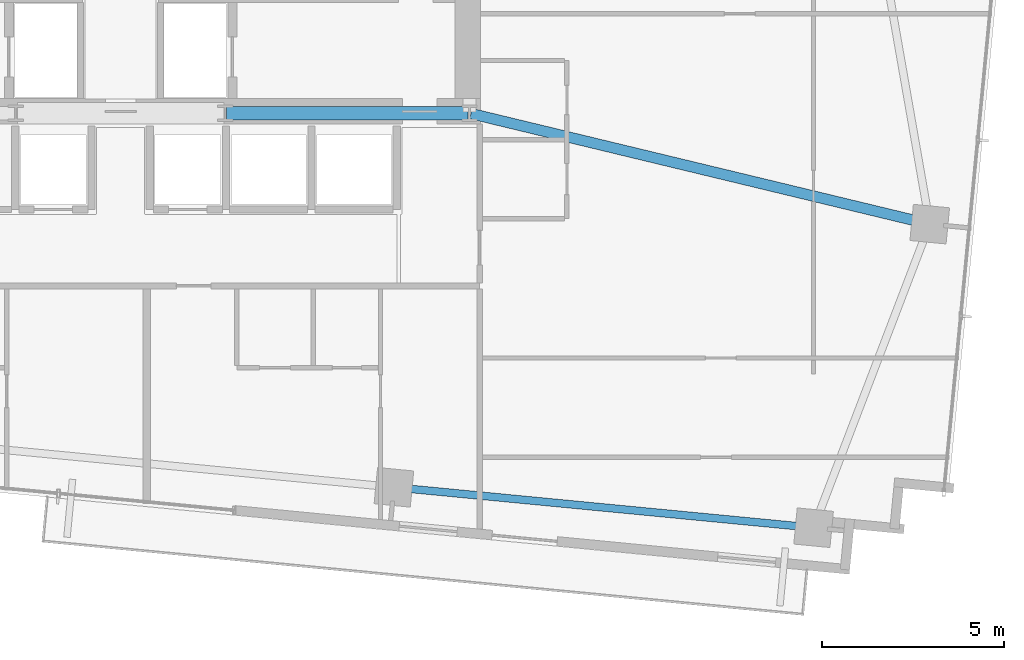
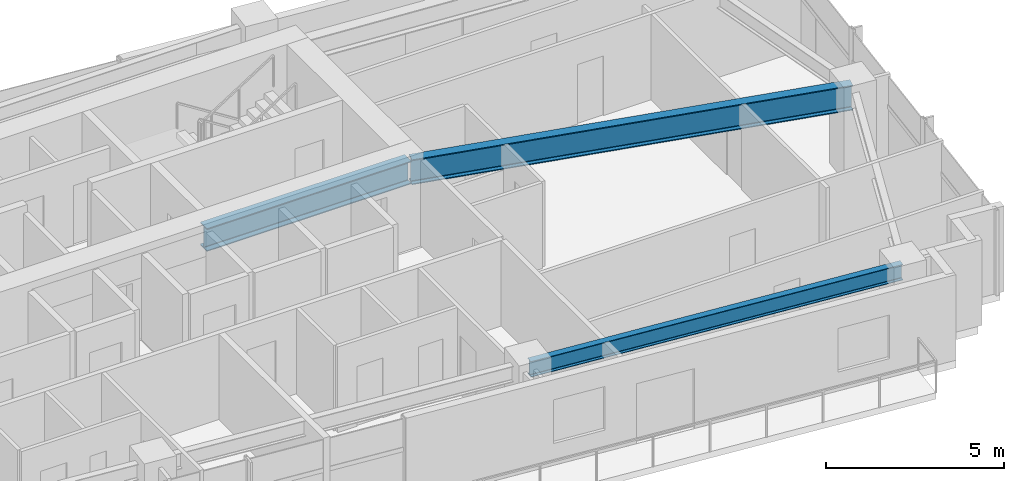
# One storey, part 10 of 20: 3 beams.
"""IFC4 building model written with IfcOpenShell, lengths in metres."""

from ifc_helpers import new_model, si_unit, direction, frame, origin, origin_2d, place, context, subcontext, project, spatial, i_section, extrude, source, transform, mapped, material, material_profile, profile_set, type_object, type_shapes, element, save


model = new_model("IFC4")

# Units and contexts
model_context = context("Model", 3, precision=1e-05, world=origin(), true_north=direction((0.0, 1.0)))
body_context = subcontext(model_context, "Body", "Model", "MODEL_VIEW")
ifc_project = project(units=[si_unit("LENGTHUNIT", "METRE"), si_unit("AREAUNIT", "SQUARE_METRE"), si_unit("VOLUMEUNIT", "CUBIC_METRE"), si_unit("PLANEANGLEUNIT", "RADIAN"), si_unit("MASSUNIT", "GRAM", prefix="KILO")], contexts=[model_context])

# Site, building, storey
site_placement = place(None, origin())
site = spatial("IfcSite", under=ifc_project, at=site_placement, CompositionType="ELEMENT")
building_placement = place(site_placement, origin())
building = spatial("IfcBuilding", under=site, at=building_placement, Name="Astriad Promenade Condominiums", CompositionType="ELEMENT")
storey_placement = place(building_placement, frame((0.0, 0.0, 137.39990234375)))
storey = spatial("IfcBuildingStorey", under=building, at=storey_placement, Name="L39", CompositionType="ELEMENT", Elevation=137.39990234375)

# Beams
ifc_material = material(Name="Steel ASTM A992 Grade 50", Category="steel")
ifc_material_profile_1 = material_profile(ifc_material, i_section(OverallWidth=0.3837890625, OverallDepth=0.785888671875, WebThickness=0.019775390625, FlangeThickness=0.033447265625, FilletRadius=0.021484375, at=origin_2d()), Name="W30X211")
ifc_profile_set_1 = profile_set([ifc_material_profile_1], Name="Steel ASTM A992 Grade 50")
beam_type_1 = type_object("IfcBeamType", Name="STEEL FLOOR GIRDER W30X211", PredefinedType="BEAM", material=ifc_profile_set_1)
shared_shape_1 = source(origin(), body_context, "Body", "SweptSolid", [
    extrude(i_section(OverallWidth=0.3837890625, OverallDepth=0.785888671875, WebThickness=0.019775390625, FlangeThickness=0.033447265625, FilletRadius=0.021484375, at=origin_2d()), origin(), (0.0, 0.0, 1.0), 6.64013671875),
])
type_shapes(beam_type_1, [shared_shape_1])
beam_1_placement = place(storey_placement, frame((38.919921875, 17.39990234375, 2.547119140625), z_axis=(1.0, 0.0, 0.0), x_axis=(0.0, 1.0, 0.0)))
element("IfcBeam", 1, at=beam_1_placement, inside=storey, type_object=beam_type_1, Name="Core Ring Beam CG-S3-L39", PredefinedType="BEAM", context=body_context, shape_type="MappedRepresentation", body=[
    mapped(shared_shape_1, transform((0.0, 0.0, 0.0), scale=1.0)),
])
ifc_material_profile_2 = material_profile(ifc_material, i_section(OverallWidth=0.210693359375, OverallDepth=0.53955078125, WebThickness=0.01171875, FlangeThickness=0.018798828125, FilletRadius=0.0166015625, at=origin_2d()), Name="W21X73")
ifc_profile_set_2 = profile_set([ifc_material_profile_2], Name="Steel ASTM A992 Grade 50")
beam_type_2 = type_object("IfcBeamType", Name="STEEL SPANDREL BEAM W21X73", PredefinedType="SPANDREL", material=ifc_profile_set_2)
shared_shape_2 = source(origin(), body_context, "Body", "SweptSolid", [
    extrude(i_section(OverallWidth=0.210693359375, OverallDepth=0.53955078125, WebThickness=0.01171875, FlangeThickness=0.018798828125, FilletRadius=0.0166015625, at=origin_2d()), origin(), (0.0, 0.0, 1.0), 11.519775390625),
])
type_shapes(beam_type_2, [shared_shape_2])
beam_2_placement = place(storey_placement, frame((43.560302734375, 7.10400390625, 2.67041015625), z_axis=(0.995397217389, -0.095835168988, 0.0), x_axis=(0.095835168988, 0.995397217389, 0.0)))
element("IfcBeam", 2, at=beam_2_placement, inside=storey, type_object=beam_type_2, Name="Perimeter Spandrel Beam SP-S4-L39", PredefinedType="SPANDREL", context=body_context, shape_type="MappedRepresentation", body=[
    mapped(shared_shape_2, transform((0.0, 0.0, 0.0), scale=1.0)),
])
ifc_material_profile_3 = material_profile(ifc_material, i_section(OverallWidth=0.2919921875, OverallDepth=0.85888671875, WebThickness=0.01708984375, FlangeThickness=0.031005859375, FilletRadius=0.02294921875, at=origin_2d()), Name="W33X169")
ifc_profile_set_3 = profile_set([ifc_material_profile_3], Name="Steel ASTM A992 Grade 50")
beam_type_3 = type_object("IfcBeamType", Name="STEEL PRIMARY GIRDER W33X169", PredefinedType="BEAM", material=ifc_profile_set_3)
shared_shape_3 = source(origin(), body_context, "Body", "SweptSolid", [
    extrude(i_section(OverallWidth=0.2919921875, OverallDepth=0.85888671875, WebThickness=0.01708984375, FlangeThickness=0.031005859375, FilletRadius=0.02294921875, at=origin_2d()), origin(), (0.0, 0.0, 1.0), 12.94482421875),
])
type_shapes(beam_type_3, [shared_shape_3])
beam_3_placement = place(storey_placement, frame((58.223388671875, 14.357666015625, 2.510498046875), z_axis=(-0.972164476402, 0.234299446908, 0.0), x_axis=(-0.234299446908, -0.972164476402, 0.0)))
element("IfcBeam", 3, at=beam_3_placement, inside=storey, type_object=beam_type_3, Name="Primary Floor Girder PG-EM-L39", PredefinedType="BEAM", context=body_context, shape_type="MappedRepresentation", body=[
    mapped(shared_shape_3, transform((0.0, 0.0, 0.0), scale=1.0)),
])

save(model, "model.ifc")
